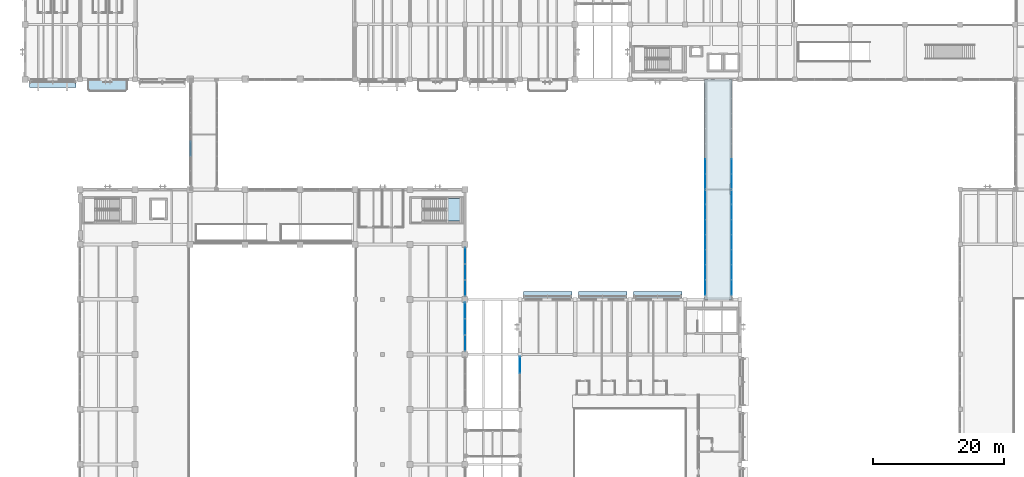
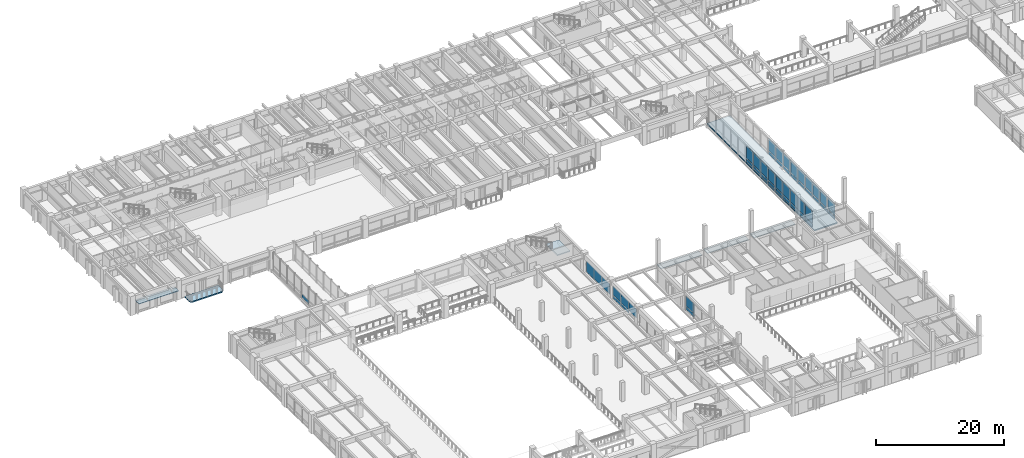
# One storey, part 53 of 118: 51 plates, 3 slabs, 11 elements without a shape of their own.
"""IFC4 building model written with IfcOpenShell, lengths in metres."""

from ifc_helpers import new_model, si_unit, direction, frame, origin, origin_2d, place, context, subcontext, project, spatial, polyline, rectangle, outline, extrude, material, layer, layer_set, type_object, element, aggregate, save


model = new_model("IFC4")

# Units and contexts
model_context = context("Model", 3, precision=1e-05, world=origin(), true_north=direction((0.0, 1.0)))
body_context = subcontext(model_context, "Body", "Model", "MODEL_VIEW")
ifc_project = project(units=[si_unit("LENGTHUNIT", "METRE"), si_unit("AREAUNIT", "SQUARE_METRE"), si_unit("VOLUMEUNIT", "CUBIC_METRE"), si_unit("PLANEANGLEUNIT", "RADIAN"), si_unit("MASSUNIT", "GRAM", prefix="KILO")], contexts=[model_context])

# Site, building, storey
site_placement = place(None, origin())
site = spatial("IfcSite", under=ifc_project, at=site_placement, CompositionType="ELEMENT")
building_placement = place(site_placement, origin())
building = spatial("IfcBuilding", under=site, at=building_placement, Name="Cumbredor Promenade Congress Hotel", CompositionType="ELEMENT")
storey_placement = place(building_placement, frame((0.0, 0.0, 3.919921875)))
storey = spatial("IfcBuildingStorey", under=building, at=storey_placement, Name="L01", CompositionType="ELEMENT", Elevation=3.919921875)

# Slab
ifc_material_1 = material(Name="Concrete C40/50", Category="concrete")
ifc_layer_1 = layer(ifc_material_1, 0.215087890625, Name="Concrete C40/50", Category="concrete")
ifc_layer_set_1 = layer_set([ifc_layer_1], Name="Concrete C40/50")
slab_type_1 = type_object("IfcSlabType", Name="Cantilevered Guestroom Balcony Slab 215mm", PredefinedType="FLOOR", material=ifc_layer_set_1)
slab_1_placement = place(storey_placement, frame((0.0, 0.0, -0.21484375)))
element("IfcSlab", 1, at=slab_1_placement, inside=storey, type_object=slab_type_1, Name="L01 Cantilevered Guestroom Veranda Balcony 001", PredefinedType="FLOOR", context=body_context, shape_type="SweptSolid", body=[
    extrude(outline(polyline([(9.89990234375, 82.14990234375), (15.300048828125, 82.14990234375), (15.64990234375, 82.5), (15.64990234375, 84.0), (9.550048828125, 84.0), (9.550048828125, 82.5), (9.89990234375, 82.14990234375)])), origin(), (0.0, 0.0, 1.0), 0.21484375),
])

# Stair, slab
stair_type = type_object("IfcStairType", Name="Protected Dog-Leg Exit Stair ST-T3 1650mm", PredefinedType="HALF_TURN_STAIR", material=ifc_material_1)
stair_placement = place(storey_placement, origin())
stair = element("IfcStair", 2, at=stair_placement, inside=storey, type_object=stair_type, Name="L01 Protected Exit Stair ST-07", PredefinedType="HALF_TURN_STAIR")
ifc_layer_2 = layer(ifc_material_1, 0.199951171875, Name="Concrete C40/50", Category="concrete")
ifc_layer_set_2 = layer_set([ifc_layer_2], Name="Concrete C40/50")
slab_type_2 = type_object("IfcSlabType", Name="Concrete Stair Landing Slab 200mm", PredefinedType="LANDING", material=ifc_layer_set_2)
slab_2_placement = place(storey_placement, frame((0.0, 0.0, 1.6201171875)))
slab_2 = element("IfcSlab", 3, at=slab_2_placement, type_object=slab_type_2, Name="ST-07 landing 1", PredefinedType="LANDING", context=body_context, shape_type="SweptSolid", body=[
    extrude(outline(polyline([(64.35009765625, 62.35009765625), (66.64990234375, 62.35009765625), (66.64990234375, 65.800048828125), (64.35009765625, 65.800048828125), (64.35009765625, 62.35009765625)])), origin(), (0.0, 0.0, 1.0), 0.199951171875),
])
aggregate(stair, [slab_2])

# Curtain wall, plates
ifc_material_2 = material(Name="Thermally broken anodized aluminium and low-E glass", Category="aluminium")
curtain_wall_type_1 = type_object("IfcCurtainWallType", Name="Unitised Bridge Glazing Screen CW-05", PredefinedType="NOTDEFINED", material=ifc_material_2)
curtain_wall_1_placement = place(storey_placement, origin())
curtain_wall_1 = element("IfcCurtainWall", 4, at=curtain_wall_1_placement, inside=storey, type_object=curtain_wall_type_1, Name="L01 Central Reflecting-Pool Promenade Bridge West Glazing Screen", PredefinedType="NOTDEFINED")
ifc_material_3 = material(Name="Laminated low-E solar-control glass", Category="glass")
ifc_layer_3 = layer(ifc_material_3, 0.030029296875, Name="Laminated low-E solar-control glass", Category="glass")
ifc_layer_set_3 = layer_set([ifc_layer_3], Name="Laminated low-E solar-control glass")
plate_type_1 = type_object("IfcPlateType", Name="Glazed Bridge Panel PNL-04", PredefinedType="CURTAIN_PANEL", material=ifc_layer_set_3)
plate_1_placement = place(storey_placement, frame((103.8798828125, 52.212890625, 0.78515625), z_axis=(0.0, 0.0, 1.0), x_axis=(0.0, 1.0, 0.0)))
plate_1 = element("IfcPlate", 5, at=plate_1_placement, type_object=plate_type_1, Name="L01 Central Reflecting-Pool Promenade Bridge West Glazing Screen Glazing Panel 1.2", PredefinedType="CURTAIN_PANEL", context=body_context, shape_type="SweptSolid", body=[
    extrude(rectangle(XDim=2.24072265625, YDim=0.030029296875, at=origin_2d()), origin(), (0.0, 0.0, 1.0), 2.340087890625),
])
plate_2_placement = place(storey_placement, frame((103.8798828125, 54.5185546875, 0.78515625), z_axis=(0.0, 0.0, 1.0), x_axis=(0.0, 1.0, 0.0)))
plate_2 = element("IfcPlate", 6, at=plate_2_placement, type_object=plate_type_1, Name="L01 Central Reflecting-Pool Promenade Bridge West Glazing Screen Glazing Panel 2.2", PredefinedType="CURTAIN_PANEL", context=body_context, shape_type="SweptSolid", body=[
    extrude(rectangle(XDim=2.24072265625, YDim=0.030029296875, at=origin_2d()), origin(), (0.0, 0.0, 1.0), 2.340087890625),
])
plate_3_placement = place(storey_placement, frame((103.8798828125, 56.82421875, 0.78515625), z_axis=(0.0, 0.0, 1.0), x_axis=(0.0, 1.0, 0.0)))
plate_3 = element("IfcPlate", 7, at=plate_3_placement, type_object=plate_type_1, Name="L01 Central Reflecting-Pool Promenade Bridge West Glazing Screen Glazing Panel 3.2", PredefinedType="CURTAIN_PANEL", context=body_context, shape_type="SweptSolid", body=[
    extrude(rectangle(XDim=2.24072265625, YDim=0.030029296875, at=origin_2d()), origin(), (0.0, 0.0, 1.0), 2.340087890625),
])
plate_4_placement = place(storey_placement, frame((103.8798828125, 59.1298828125, 0.78515625), z_axis=(0.0, 0.0, 1.0), x_axis=(0.0, 1.0, 0.0)))
plate_4 = element("IfcPlate", 8, at=plate_4_placement, type_object=plate_type_1, Name="L01 Central Reflecting-Pool Promenade Bridge West Glazing Screen Glazing Panel 4.2", PredefinedType="CURTAIN_PANEL", context=body_context, shape_type="SweptSolid", body=[
    extrude(rectangle(XDim=2.24072265625, YDim=0.030029296875, at=origin_2d()), origin(), (0.0, 0.0, 1.0), 2.340087890625),
])
plate_5_placement = place(storey_placement, frame((103.8798828125, 61.435791015625, 0.78515625), z_axis=(0.0, 0.0, 1.0), x_axis=(0.0, 1.0, 0.0)))
plate_5 = element("IfcPlate", 9, at=plate_5_placement, type_object=plate_type_1, Name="L01 Central Reflecting-Pool Promenade Bridge West Glazing Screen Glazing Panel 5.2", PredefinedType="CURTAIN_PANEL", context=body_context, shape_type="SweptSolid", body=[
    extrude(rectangle(XDim=2.24072265625, YDim=0.030029296875, at=origin_2d()), origin(), (0.0, 0.0, 1.0), 2.340087890625),
])
plate_6_placement = place(storey_placement, frame((103.8798828125, 63.741455078125, 0.78515625), z_axis=(0.0, 0.0, 1.0), x_axis=(0.0, 1.0, 0.0)))
plate_6 = element("IfcPlate", 10, at=plate_6_placement, type_object=plate_type_1, Name="L01 Central Reflecting-Pool Promenade Bridge West Glazing Screen Glazing Panel 6.2", PredefinedType="CURTAIN_PANEL", context=body_context, shape_type="SweptSolid", body=[
    extrude(rectangle(XDim=2.24072265625, YDim=0.030029296875, at=origin_2d()), origin(), (0.0, 0.0, 1.0), 2.340087890625),
])
plate_7_placement = place(storey_placement, frame((103.8798828125, 66.047119140625, 0.78515625), z_axis=(0.0, 0.0, 1.0), x_axis=(0.0, 1.0, 0.0)))
plate_7 = element("IfcPlate", 11, at=plate_7_placement, type_object=plate_type_1, Name="L01 Central Reflecting-Pool Promenade Bridge West Glazing Screen Glazing Panel 7.2", PredefinedType="CURTAIN_PANEL", context=body_context, shape_type="SweptSolid", body=[
    extrude(rectangle(XDim=2.24072265625, YDim=0.030029296875, at=origin_2d()), origin(), (0.0, 0.0, 1.0), 2.340087890625),
])
plate_8_placement = place(storey_placement, frame((103.8798828125, 68.352783203125, 0.78515625), z_axis=(0.0, 0.0, 1.0), x_axis=(0.0, 1.0, 0.0)))
plate_8 = element("IfcPlate", 12, at=plate_8_placement, type_object=plate_type_1, Name="L01 Central Reflecting-Pool Promenade Bridge West Glazing Screen Glazing Panel 8.2", PredefinedType="CURTAIN_PANEL", context=body_context, shape_type="SweptSolid", body=[
    extrude(rectangle(XDim=2.24072265625, YDim=0.030029296875, at=origin_2d()), origin(), (0.0, 0.0, 1.0), 2.340087890625),
])
plate_9_placement = place(storey_placement, frame((103.8798828125, 70.658447265625, 0.78515625), z_axis=(0.0, 0.0, 1.0), x_axis=(0.0, 1.0, 0.0)))
plate_9 = element("IfcPlate", 13, at=plate_9_placement, type_object=plate_type_1, Name="L01 Central Reflecting-Pool Promenade Bridge West Glazing Screen Glazing Panel 9.2", PredefinedType="CURTAIN_PANEL", context=body_context, shape_type="SweptSolid", body=[
    extrude(rectangle(XDim=2.24072265625, YDim=0.030029296875, at=origin_2d()), origin(), (0.0, 0.0, 1.0), 2.340087890625),
])

curtain_wall_2_placement = place(storey_placement, origin())
curtain_wall_2 = element("IfcCurtainWall", 14, at=curtain_wall_2_placement, inside=storey, type_object=curtain_wall_type_1, Name="L01 Central Reflecting-Pool Promenade Bridge East Glazing Screen", PredefinedType="NOTDEFINED")
plate_10_placement = place(storey_placement, frame((107.919921875, 52.212890625, 0.78515625), z_axis=(0.0, 0.0, 1.0), x_axis=(0.0, 1.0, 0.0)))
plate_10 = element("IfcPlate", 15, at=plate_10_placement, type_object=plate_type_1, Name="L01 Central Reflecting-Pool Promenade Bridge East Glazing Screen Glazing Panel 1.2", PredefinedType="CURTAIN_PANEL", context=body_context, shape_type="SweptSolid", body=[
    extrude(rectangle(XDim=2.24072265625, YDim=0.030029296875, at=origin_2d()), origin(), (0.0, 0.0, 1.0), 2.340087890625),
])
plate_11_placement = place(storey_placement, frame((107.919921875, 54.5185546875, 0.78515625), z_axis=(0.0, 0.0, 1.0), x_axis=(0.0, 1.0, 0.0)))
plate_11 = element("IfcPlate", 16, at=plate_11_placement, type_object=plate_type_1, Name="L01 Central Reflecting-Pool Promenade Bridge East Glazing Screen Glazing Panel 2.2", PredefinedType="CURTAIN_PANEL", context=body_context, shape_type="SweptSolid", body=[
    extrude(rectangle(XDim=2.24072265625, YDim=0.030029296875, at=origin_2d()), origin(), (0.0, 0.0, 1.0), 2.340087890625),
])
plate_12_placement = place(storey_placement, frame((107.919921875, 56.82421875, 0.78515625), z_axis=(0.0, 0.0, 1.0), x_axis=(0.0, 1.0, 0.0)))
plate_12 = element("IfcPlate", 17, at=plate_12_placement, type_object=plate_type_1, Name="L01 Central Reflecting-Pool Promenade Bridge East Glazing Screen Glazing Panel 3.2", PredefinedType="CURTAIN_PANEL", context=body_context, shape_type="SweptSolid", body=[
    extrude(rectangle(XDim=2.24072265625, YDim=0.030029296875, at=origin_2d()), origin(), (0.0, 0.0, 1.0), 2.340087890625),
])
plate_13_placement = place(storey_placement, frame((107.919921875, 59.1298828125, 0.78515625), z_axis=(0.0, 0.0, 1.0), x_axis=(0.0, 1.0, 0.0)))
plate_13 = element("IfcPlate", 18, at=plate_13_placement, type_object=plate_type_1, Name="L01 Central Reflecting-Pool Promenade Bridge East Glazing Screen Glazing Panel 4.2", PredefinedType="CURTAIN_PANEL", context=body_context, shape_type="SweptSolid", body=[
    extrude(rectangle(XDim=2.24072265625, YDim=0.030029296875, at=origin_2d()), origin(), (0.0, 0.0, 1.0), 2.340087890625),
])
plate_14_placement = place(storey_placement, frame((107.919921875, 61.435791015625, 0.78515625), z_axis=(0.0, 0.0, 1.0), x_axis=(0.0, 1.0, 0.0)))
plate_14 = element("IfcPlate", 19, at=plate_14_placement, type_object=plate_type_1, Name="L01 Central Reflecting-Pool Promenade Bridge East Glazing Screen Glazing Panel 5.2", PredefinedType="CURTAIN_PANEL", context=body_context, shape_type="SweptSolid", body=[
    extrude(rectangle(XDim=2.24072265625, YDim=0.030029296875, at=origin_2d()), origin(), (0.0, 0.0, 1.0), 2.340087890625),
])
plate_15_placement = place(storey_placement, frame((107.919921875, 63.741455078125, 0.78515625), z_axis=(0.0, 0.0, 1.0), x_axis=(0.0, 1.0, 0.0)))
plate_15 = element("IfcPlate", 20, at=plate_15_placement, type_object=plate_type_1, Name="L01 Central Reflecting-Pool Promenade Bridge East Glazing Screen Glazing Panel 6.2", PredefinedType="CURTAIN_PANEL", context=body_context, shape_type="SweptSolid", body=[
    extrude(rectangle(XDim=2.24072265625, YDim=0.030029296875, at=origin_2d()), origin(), (0.0, 0.0, 1.0), 2.340087890625),
])
plate_16_placement = place(storey_placement, frame((107.919921875, 66.047119140625, 0.78515625), z_axis=(0.0, 0.0, 1.0), x_axis=(0.0, 1.0, 0.0)))
plate_16 = element("IfcPlate", 21, at=plate_16_placement, type_object=plate_type_1, Name="L01 Central Reflecting-Pool Promenade Bridge East Glazing Screen Glazing Panel 7.2", PredefinedType="CURTAIN_PANEL", context=body_context, shape_type="SweptSolid", body=[
    extrude(rectangle(XDim=2.24072265625, YDim=0.030029296875, at=origin_2d()), origin(), (0.0, 0.0, 1.0), 2.340087890625),
])
plate_17_placement = place(storey_placement, frame((107.919921875, 68.352783203125, 0.78515625), z_axis=(0.0, 0.0, 1.0), x_axis=(0.0, 1.0, 0.0)))
plate_17 = element("IfcPlate", 22, at=plate_17_placement, type_object=plate_type_1, Name="L01 Central Reflecting-Pool Promenade Bridge East Glazing Screen Glazing Panel 8.2", PredefinedType="CURTAIN_PANEL", context=body_context, shape_type="SweptSolid", body=[
    extrude(rectangle(XDim=2.24072265625, YDim=0.030029296875, at=origin_2d()), origin(), (0.0, 0.0, 1.0), 2.340087890625),
])
plate_18_placement = place(storey_placement, frame((107.919921875, 70.658447265625, 0.78515625), z_axis=(0.0, 0.0, 1.0), x_axis=(0.0, 1.0, 0.0)))
plate_18 = element("IfcPlate", 23, at=plate_18_placement, type_object=plate_type_1, Name="L01 Central Reflecting-Pool Promenade Bridge East Glazing Screen Glazing Panel 9.2", PredefinedType="CURTAIN_PANEL", context=body_context, shape_type="SweptSolid", body=[
    extrude(rectangle(XDim=2.24072265625, YDim=0.030029296875, at=origin_2d()), origin(), (0.0, 0.0, 1.0), 2.340087890625),
])

# Curtain wall, plate
curtain_wall_type_2 = type_object("IfcCurtainWallType", Name="Unitised Bronze Curtain Wall CW-01", PredefinedType="NOTDEFINED", material=ifc_material_2)
curtain_wall_3_placement = place(storey_placement, origin())
curtain_wall_3 = element("IfcCurtainWall", 24, at=curtain_wall_3_placement, inside=storey, type_object=curtain_wall_type_2, Name="L01 Thermal Spa and Hydrotherapy Pavilion West Curtain Wall 4", PredefinedType="NOTDEFINED")
ifc_layer_4 = layer(ifc_material_3, 0.028076171875, Name="Laminated low-E solar-control glass", Category="glass")
ifc_layer_set_4 = layer_set([ifc_layer_4], Name="Laminated low-E solar-control glass")
plate_type_2 = type_object("IfcPlateType", Name="Glazed Vision Panel PNL-01", PredefinedType="CURTAIN_PANEL", material=ifc_layer_set_4)
plate_19_placement = place(storey_placement, frame((75.60009765625, 40.36328125, 0.78515625), z_axis=(0.0, 0.0, 1.0), x_axis=(0.0, 1.0, 0.0)))
plate_19 = element("IfcPlate", 25, at=plate_19_placement, type_object=plate_type_2, Name="L01 Thermal Spa and Hydrotherapy Pavilion West Curtain Wall 4 Glazing Panel 3.2", PredefinedType="CURTAIN_PANEL", context=body_context, shape_type="SweptSolid", body=[
    extrude(rectangle(XDim=2.498291015625, YDim=0.028076171875, at=origin_2d()), origin(), (0.0, 0.0, 1.0), 1.820068359375),
])

# Curtain wall, plates
curtain_wall_4_placement = place(storey_placement, origin())
curtain_wall_4 = element("IfcCurtainWall", 26, at=curtain_wall_4_placement, inside=storey, type_object=curtain_wall_type_2, Name="L01 Plenary Congress Hall East Curtain Wall 5", PredefinedType="NOTDEFINED")
ifc_layer_5 = layer(ifc_material_3, 0.031982421875, Name="Laminated low-E solar-control glass", Category="glass")
ifc_layer_set_5 = layer_set([ifc_layer_5], Name="Laminated low-E solar-control glass")
plate_type_3 = type_object("IfcPlateType", Name="Glazed Vision Panel PNL-02", PredefinedType="CURTAIN_PANEL", material=ifc_layer_set_5)
plate_20_placement = place(storey_placement, frame((67.199951171875, 43.736572265625, 0.795166015625), z_axis=(0.0, 0.0, 1.0), x_axis=(0.0, 1.0, 0.0)))
plate_20 = element("IfcPlate", 27, at=plate_20_placement, type_object=plate_type_3, Name="L01 Plenary Congress Hall East Curtain Wall 5 Glazing Panel 1.2", PredefinedType="CURTAIN_PANEL", context=body_context, shape_type="SweptSolid", body=[
    extrude(rectangle(XDim=2.38818359375, YDim=0.031982421875, at=origin_2d()), origin(), (0.0, 0.0, 1.0), 1.64990234375),
])
plate_21_placement = place(storey_placement, frame((67.199951171875, 46.199951171875, 0.795166015625), z_axis=(0.0, 0.0, 1.0), x_axis=(0.0, 1.0, 0.0)))
plate_21 = element("IfcPlate", 28, at=plate_21_placement, type_object=plate_type_3, Name="L01 Plenary Congress Hall East Curtain Wall 5 Glazing Panel 2.2", PredefinedType="CURTAIN_PANEL", context=body_context, shape_type="SweptSolid", body=[
    extrude(rectangle(XDim=2.388427734375, YDim=0.031982421875, at=origin_2d()), origin(), (0.0, 0.0, 1.0), 1.64990234375),
])
plate_22_placement = place(storey_placement, frame((67.199951171875, 48.663330078125, 0.795166015625), z_axis=(0.0, 0.0, 1.0), x_axis=(0.0, 1.0, 0.0)))
plate_22 = element("IfcPlate", 29, at=plate_22_placement, type_object=plate_type_3, Name="L01 Plenary Congress Hall East Curtain Wall 5 Glazing Panel 3.2", PredefinedType="CURTAIN_PANEL", context=body_context, shape_type="SweptSolid", body=[
    extrude(rectangle(XDim=2.38818359375, YDim=0.031982421875, at=origin_2d()), origin(), (0.0, 0.0, 1.0), 1.64990234375),
])

curtain_wall_5_placement = place(storey_placement, origin())
curtain_wall_5 = element("IfcCurtainWall", 30, at=curtain_wall_5_placement, inside=storey, type_object=curtain_wall_type_2, Name="L01 Plenary Congress Hall East Curtain Wall 6", PredefinedType="NOTDEFINED")
ifc_layer_6 = layer(ifc_material_3, 0.028076171875, Name="Laminated low-E solar-control glass", Category="glass")
ifc_layer_set_6 = layer_set([ifc_layer_6], Name="Laminated low-E solar-control glass")
plate_type_4 = type_object("IfcPlateType", Name="Glazed Vision Panel PNL-03", PredefinedType="CURTAIN_PANEL", material=ifc_layer_set_6)
plate_23_placement = place(storey_placement, frame((67.199951171875, 52.13671875, 0.18017578125), z_axis=(0.0, 0.0, 1.0), x_axis=(0.0, 1.0, 0.0)))
plate_23 = element("IfcPlate", 31, at=plate_23_placement, type_object=plate_type_4, Name="L01 Plenary Congress Hall East Curtain Wall 6 Glazing Panel 1.1", PredefinedType="CURTAIN_PANEL", context=body_context, shape_type="SweptSolid", body=[
    extrude(rectangle(XDim=2.38330078125, YDim=0.028076171875, at=origin_2d()), origin(), (0.0, 0.0, 1.0), 2.0400390625),
])
plate_24_placement = place(storey_placement, frame((67.199951171875, 54.60009765625, 0.18017578125), z_axis=(0.0, 0.0, 1.0), x_axis=(0.0, 1.0, 0.0)))
plate_24 = element("IfcPlate", 32, at=plate_24_placement, type_object=plate_type_4, Name="L01 Plenary Congress Hall East Curtain Wall 6 Glazing Panel 2.1", PredefinedType="CURTAIN_PANEL", context=body_context, shape_type="SweptSolid", body=[
    extrude(rectangle(XDim=2.38330078125, YDim=0.028076171875, at=origin_2d()), origin(), (0.0, 0.0, 1.0), 2.0400390625),
])
plate_25_placement = place(storey_placement, frame((67.199951171875, 57.063232421875, 0.18017578125), z_axis=(0.0, 0.0, 1.0), x_axis=(0.0, 1.0, 0.0)))
plate_25 = element("IfcPlate", 33, at=plate_25_placement, type_object=plate_type_4, Name="L01 Plenary Congress Hall East Curtain Wall 6 Glazing Panel 3.1", PredefinedType="CURTAIN_PANEL", context=body_context, shape_type="SweptSolid", body=[
    extrude(rectangle(XDim=2.38330078125, YDim=0.028076171875, at=origin_2d()), origin(), (0.0, 0.0, 1.0), 2.0400390625),
])
aggregate(curtain_wall_5, [plate_23, plate_24, plate_25])

# Curtain wall, plate
curtain_wall_type_3 = type_object("IfcCurtainWallType", Name="Solar Brise-Soleil Screen Assembly CW-07", PredefinedType="NOTDEFINED", material=ifc_material_2)
curtain_wall_6_placement = place(storey_placement, origin())
curtain_wall_6 = element("IfcCurtainWall", 34, at=curtain_wall_6_placement, inside=storey, type_object=curtain_wall_type_3, Name="L01 Hospitality Brise-Soleil Screen 001", PredefinedType="NOTDEFINED")
ifc_material_4 = material(Name="Precast concrete C40/50", Category="concrete")
ifc_layer_7 = layer(ifc_material_4, 0.14501953125, Name="Precast concrete C40/50", Category="concrete")
ifc_layer_set_7 = layer_set([ifc_layer_7], Name="Precast concrete C40/50")
plate_type_5 = type_object("IfcPlateType", Name="Horizontal Precast Sun-Hood Eyebrow Plate 145mm", PredefinedType="USERDEFINED", material=ifc_layer_set_7)
plate_26_placement = place(storey_placement, frame((79.800048828125, 50.96630859375, 2.28515625), z_axis=(0.0, 0.0, 1.0), x_axis=(1.0, 0.0, 0.0)))
plate_26 = element("IfcPlate", 35, at=plate_26_placement, type_object=plate_type_5, Name="L01 Horizontal Sun-Hood Eyebrow 001", ObjectType="SUN HOOD", PredefinedType="USERDEFINED", context=body_context, shape_type="SweptSolid", body=[
    extrude(rectangle(XDim=7.39794921875, YDim=1.29248046875, at=origin_2d()), origin(), (0.0, 0.0, 1.0), 0.14501953125),
])
aggregate(curtain_wall_6, [plate_26])

curtain_wall_7_placement = place(storey_placement, origin())
curtain_wall_7 = element("IfcCurtainWall", 36, at=curtain_wall_7_placement, inside=storey, type_object=curtain_wall_type_3, Name="L01 Hospitality Brise-Soleil Screen 002", PredefinedType="NOTDEFINED")
plate_27_placement = place(storey_placement, frame((88.199951171875, 50.972412109375, 2.28515625), z_axis=(0.0, 0.0, 1.0), x_axis=(1.0, 0.0, 0.0)))
plate_27 = element("IfcPlate", 37, at=plate_27_placement, type_object=plate_type_5, Name="L01 Horizontal Sun-Hood Eyebrow 002", ObjectType="SUN HOOD", PredefinedType="USERDEFINED", context=body_context, shape_type="SweptSolid", body=[
    extrude(rectangle(XDim=7.39794921875, YDim=1.304931640625, at=origin_2d()), origin(), (0.0, 0.0, 1.0), 0.14501953125),
])
aggregate(curtain_wall_7, [plate_27])

curtain_wall_8_placement = place(storey_placement, origin())
curtain_wall_8 = element("IfcCurtainWall", 38, at=curtain_wall_8_placement, inside=storey, type_object=curtain_wall_type_3, Name="L01 Hospitality Brise-Soleil Screen 003", PredefinedType="NOTDEFINED")
plate_28_placement = place(storey_placement, frame((96.60009765625, 50.97998046875, 2.28515625), z_axis=(0.0, 0.0, 1.0), x_axis=(1.0, 0.0, 0.0)))
plate_28 = element("IfcPlate", 39, at=plate_28_placement, type_object=plate_type_5, Name="L01 Horizontal Sun-Hood Eyebrow 003", ObjectType="SUN HOOD", PredefinedType="USERDEFINED", context=body_context, shape_type="SweptSolid", body=[
    extrude(rectangle(XDim=7.39794921875, YDim=1.320068359375, at=origin_2d()), origin(), (0.0, 0.0, 1.0), 0.14501953125),
])
aggregate(curtain_wall_8, [plate_28])

curtain_wall_9_placement = place(storey_placement, origin())
curtain_wall_9 = element("IfcCurtainWall", 40, at=curtain_wall_9_placement, inside=storey, type_object=curtain_wall_type_3, Name="L01 Hospitality Brise-Soleil Screen 017", PredefinedType="NOTDEFINED")
plate_29_placement = place(storey_placement, frame((4.22509765625, 83.433837890625, 2.28515625), z_axis=(0.0, 0.0, 1.0), x_axis=(1.0, 0.0, 0.0)))
plate_29 = element("IfcPlate", 41, at=plate_29_placement, type_object=plate_type_5, Name="L01 Horizontal Sun-Hood Eyebrow 017", ObjectType="SUN HOOD", PredefinedType="USERDEFINED", context=body_context, shape_type="SweptSolid", body=[
    extrude(rectangle(XDim=7.14794921875, YDim=1.29248046875, at=origin_2d()), origin(), (0.0, 0.0, 1.0), 0.14501953125),
])
aggregate(curtain_wall_9, [plate_29])

# Plate
ifc_material_5 = material(Name="Thermally broken anodized aluminium", Category="aluminium")
ifc_layer_8 = layer(ifc_material_5, 0.0400390625, Name="Thermally broken anodized aluminium", Category="aluminium")
ifc_layer_set_8 = layer_set([ifc_layer_8], Name="Thermally broken anodized aluminium")
plate_type_6 = type_object("IfcPlateType", Name="Insulated Spandrel Panel PNL-05", PredefinedType="CURTAIN_PANEL", material=ifc_layer_set_8)
plate_30_placement = place(storey_placement, frame((67.199951171875, 46.199951171875, 0.1552734375), z_axis=(0.0, 0.0, 1.0), x_axis=(0.0, 1.0, 0.0)))
plate_30 = element("IfcPlate", 42, at=plate_30_placement, type_object=plate_type_6, Name="L01 Plenary Congress Hall East Curtain Wall 5 Spandrel Panel 2.1", PredefinedType="CURTAIN_PANEL", context=body_context, shape_type="SweptSolid", body=[
    extrude(rectangle(XDim=2.388427734375, YDim=0.0400390625, at=origin_2d()), origin(), (0.0, 0.0, 1.0), 0.489990234375),
])

plate_31_placement = place(storey_placement, frame((67.199951171875, 48.663330078125, 0.1552734375), z_axis=(0.0, 0.0, 1.0), x_axis=(0.0, 1.0, 0.0)))
plate_31 = element("IfcPlate", 43, at=plate_31_placement, type_object=plate_type_6, Name="L01 Plenary Congress Hall East Curtain Wall 5 Spandrel Panel 3.1", PredefinedType="CURTAIN_PANEL", context=body_context, shape_type="SweptSolid", body=[
    extrude(rectangle(XDim=2.38818359375, YDim=0.0400390625, at=origin_2d()), origin(), (0.0, 0.0, 1.0), 0.489990234375),
])

aggregate(curtain_wall_4, [plate_20, plate_30, plate_21, plate_31, plate_22])

plate_32_placement = place(storey_placement, frame((75.60009765625, 40.36328125, 0.125), z_axis=(0.0, 0.0, 1.0), x_axis=(0.0, 1.0, 0.0)))
plate_32 = element("IfcPlate", 44, at=plate_32_placement, type_object=plate_type_6, Name="L01 Thermal Spa and Hydrotherapy Pavilion West Curtain Wall 4 Spandrel Panel 3.1", PredefinedType="CURTAIN_PANEL", context=body_context, shape_type="SweptSolid", body=[
    extrude(rectangle(XDim=2.498291015625, YDim=0.0400390625, at=origin_2d()), origin(), (0.0, 0.0, 1.0), 0.530029296875),
])

aggregate(curtain_wall_3, [plate_32, plate_19])

# Curtain wall, plate
curtain_wall_10_placement = place(storey_placement, origin())
curtain_wall_10 = element("IfcCurtainWall", 45, at=curtain_wall_10_placement, inside=storey, type_object=curtain_wall_type_1, Name="L01 West Congress-to-Hotel Glazed Bridge West Glazing Screen", PredefinedType="NOTDEFINED")
ifc_layer_9 = layer(ifc_material_5, 0.0400390625, Name="Thermally broken anodized aluminium", Category="aluminium")
ifc_layer_set_9 = layer_set([ifc_layer_9], Name="Thermally broken anodized aluminium")
plate_type_7 = type_object("IfcPlateType", Name="Insulated Spandrel Panel PNL-06", PredefinedType="CURTAIN_PANEL", material=ifc_layer_set_9)
plate_33_placement = place(storey_placement, frame((25.280029296875, 73.388671875, 0.125), z_axis=(0.0, 0.0, 1.0), x_axis=(0.0, 1.0, 0.0)))
plate_33 = element("IfcPlate", 46, at=plate_33_placement, type_object=plate_type_7, Name="L01 West Congress-to-Hotel Glazed Bridge West Glazing Screen Spandrel Panel 3.1", PredefinedType="CURTAIN_PANEL", context=body_context, shape_type="SweptSolid", body=[
    extrude(rectangle(XDim=2.146484375, YDim=0.0400390625, at=origin_2d()), origin(), (0.0, 0.0, 1.0), 0.530029296875),
])
aggregate(curtain_wall_10, [plate_33])

# Plate
plate_34_placement = place(storey_placement, frame((103.8798828125, 52.212890625, 0.125), z_axis=(0.0, 0.0, 1.0), x_axis=(0.0, 1.0, 0.0)))
plate_34 = element("IfcPlate", 47, at=plate_34_placement, type_object=plate_type_7, Name="L01 Central Reflecting-Pool Promenade Bridge West Glazing Screen Spandrel Panel 1.1", PredefinedType="CURTAIN_PANEL", context=body_context, shape_type="SweptSolid", body=[
    extrude(rectangle(XDim=2.24072265625, YDim=0.0400390625, at=origin_2d()), origin(), (0.0, 0.0, 1.0), 0.530029296875),
])

plate_35_placement = place(storey_placement, frame((103.8798828125, 54.5185546875, 0.125), z_axis=(0.0, 0.0, 1.0), x_axis=(0.0, 1.0, 0.0)))
plate_35 = element("IfcPlate", 48, at=plate_35_placement, type_object=plate_type_7, Name="L01 Central Reflecting-Pool Promenade Bridge West Glazing Screen Spandrel Panel 2.1", PredefinedType="CURTAIN_PANEL", context=body_context, shape_type="SweptSolid", body=[
    extrude(rectangle(XDim=2.24072265625, YDim=0.0400390625, at=origin_2d()), origin(), (0.0, 0.0, 1.0), 0.530029296875),
])

plate_36_placement = place(storey_placement, frame((103.8798828125, 56.82421875, 0.125), z_axis=(0.0, 0.0, 1.0), x_axis=(0.0, 1.0, 0.0)))
plate_36 = element("IfcPlate", 49, at=plate_36_placement, type_object=plate_type_7, Name="L01 Central Reflecting-Pool Promenade Bridge West Glazing Screen Spandrel Panel 3.1", PredefinedType="CURTAIN_PANEL", context=body_context, shape_type="SweptSolid", body=[
    extrude(rectangle(XDim=2.24072265625, YDim=0.0400390625, at=origin_2d()), origin(), (0.0, 0.0, 1.0), 0.530029296875),
])

plate_37_placement = place(storey_placement, frame((103.8798828125, 59.1298828125, 0.125), z_axis=(0.0, 0.0, 1.0), x_axis=(0.0, 1.0, 0.0)))
plate_37 = element("IfcPlate", 50, at=plate_37_placement, type_object=plate_type_7, Name="L01 Central Reflecting-Pool Promenade Bridge West Glazing Screen Spandrel Panel 4.1", PredefinedType="CURTAIN_PANEL", context=body_context, shape_type="SweptSolid", body=[
    extrude(rectangle(XDim=2.24072265625, YDim=0.0400390625, at=origin_2d()), origin(), (0.0, 0.0, 1.0), 0.530029296875),
])

plate_38_placement = place(storey_placement, frame((103.8798828125, 61.435791015625, 0.125), z_axis=(0.0, 0.0, 1.0), x_axis=(0.0, 1.0, 0.0)))
plate_38 = element("IfcPlate", 51, at=plate_38_placement, type_object=plate_type_7, Name="L01 Central Reflecting-Pool Promenade Bridge West Glazing Screen Spandrel Panel 5.1", PredefinedType="CURTAIN_PANEL", context=body_context, shape_type="SweptSolid", body=[
    extrude(rectangle(XDim=2.24072265625, YDim=0.0400390625, at=origin_2d()), origin(), (0.0, 0.0, 1.0), 0.530029296875),
])

plate_39_placement = place(storey_placement, frame((103.8798828125, 63.741455078125, 0.125), z_axis=(0.0, 0.0, 1.0), x_axis=(0.0, 1.0, 0.0)))
plate_39 = element("IfcPlate", 52, at=plate_39_placement, type_object=plate_type_7, Name="L01 Central Reflecting-Pool Promenade Bridge West Glazing Screen Spandrel Panel 6.1", PredefinedType="CURTAIN_PANEL", context=body_context, shape_type="SweptSolid", body=[
    extrude(rectangle(XDim=2.24072265625, YDim=0.0400390625, at=origin_2d()), origin(), (0.0, 0.0, 1.0), 0.530029296875),
])

plate_40_placement = place(storey_placement, frame((103.8798828125, 66.047119140625, 0.125), z_axis=(0.0, 0.0, 1.0), x_axis=(0.0, 1.0, 0.0)))
plate_40 = element("IfcPlate", 53, at=plate_40_placement, type_object=plate_type_7, Name="L01 Central Reflecting-Pool Promenade Bridge West Glazing Screen Spandrel Panel 7.1", PredefinedType="CURTAIN_PANEL", context=body_context, shape_type="SweptSolid", body=[
    extrude(rectangle(XDim=2.24072265625, YDim=0.0400390625, at=origin_2d()), origin(), (0.0, 0.0, 1.0), 0.530029296875),
])

plate_41_placement = place(storey_placement, frame((103.8798828125, 68.352783203125, 0.125), z_axis=(0.0, 0.0, 1.0), x_axis=(0.0, 1.0, 0.0)))
plate_41 = element("IfcPlate", 54, at=plate_41_placement, type_object=plate_type_7, Name="L01 Central Reflecting-Pool Promenade Bridge West Glazing Screen Spandrel Panel 8.1", PredefinedType="CURTAIN_PANEL", context=body_context, shape_type="SweptSolid", body=[
    extrude(rectangle(XDim=2.24072265625, YDim=0.0400390625, at=origin_2d()), origin(), (0.0, 0.0, 1.0), 0.530029296875),
])

plate_42_placement = place(storey_placement, frame((103.8798828125, 70.658447265625, 0.125), z_axis=(0.0, 0.0, 1.0), x_axis=(0.0, 1.0, 0.0)))
plate_42 = element("IfcPlate", 55, at=plate_42_placement, type_object=plate_type_7, Name="L01 Central Reflecting-Pool Promenade Bridge West Glazing Screen Spandrel Panel 9.1", PredefinedType="CURTAIN_PANEL", context=body_context, shape_type="SweptSolid", body=[
    extrude(rectangle(XDim=2.24072265625, YDim=0.0400390625, at=origin_2d()), origin(), (0.0, 0.0, 1.0), 0.530029296875),
])

aggregate(curtain_wall_1, [plate_34, plate_1, plate_35, plate_2, plate_36, plate_3, plate_37, plate_4, plate_38, plate_5, plate_39, plate_6, plate_40, plate_7, plate_41, plate_8, plate_42, plate_9])

plate_43_placement = place(storey_placement, frame((107.919921875, 52.212890625, 0.125), z_axis=(0.0, 0.0, 1.0), x_axis=(0.0, 1.0, 0.0)))
plate_43 = element("IfcPlate", 56, at=plate_43_placement, type_object=plate_type_7, Name="L01 Central Reflecting-Pool Promenade Bridge East Glazing Screen Spandrel Panel 1.1", PredefinedType="CURTAIN_PANEL", context=body_context, shape_type="SweptSolid", body=[
    extrude(rectangle(XDim=2.24072265625, YDim=0.0400390625, at=origin_2d()), origin(), (0.0, 0.0, 1.0), 0.530029296875),
])

plate_44_placement = place(storey_placement, frame((107.919921875, 54.5185546875, 0.125), z_axis=(0.0, 0.0, 1.0), x_axis=(0.0, 1.0, 0.0)))
plate_44 = element("IfcPlate", 57, at=plate_44_placement, type_object=plate_type_7, Name="L01 Central Reflecting-Pool Promenade Bridge East Glazing Screen Spandrel Panel 2.1", PredefinedType="CURTAIN_PANEL", context=body_context, shape_type="SweptSolid", body=[
    extrude(rectangle(XDim=2.24072265625, YDim=0.0400390625, at=origin_2d()), origin(), (0.0, 0.0, 1.0), 0.530029296875),
])

plate_45_placement = place(storey_placement, frame((107.919921875, 56.82421875, 0.125), z_axis=(0.0, 0.0, 1.0), x_axis=(0.0, 1.0, 0.0)))
plate_45 = element("IfcPlate", 58, at=plate_45_placement, type_object=plate_type_7, Name="L01 Central Reflecting-Pool Promenade Bridge East Glazing Screen Spandrel Panel 3.1", PredefinedType="CURTAIN_PANEL", context=body_context, shape_type="SweptSolid", body=[
    extrude(rectangle(XDim=2.24072265625, YDim=0.0400390625, at=origin_2d()), origin(), (0.0, 0.0, 1.0), 0.530029296875),
])

plate_46_placement = place(storey_placement, frame((107.919921875, 59.1298828125, 0.125), z_axis=(0.0, 0.0, 1.0), x_axis=(0.0, 1.0, 0.0)))
plate_46 = element("IfcPlate", 59, at=plate_46_placement, type_object=plate_type_7, Name="L01 Central Reflecting-Pool Promenade Bridge East Glazing Screen Spandrel Panel 4.1", PredefinedType="CURTAIN_PANEL", context=body_context, shape_type="SweptSolid", body=[
    extrude(rectangle(XDim=2.24072265625, YDim=0.0400390625, at=origin_2d()), origin(), (0.0, 0.0, 1.0), 0.530029296875),
])

plate_47_placement = place(storey_placement, frame((107.919921875, 61.435791015625, 0.125), z_axis=(0.0, 0.0, 1.0), x_axis=(0.0, 1.0, 0.0)))
plate_47 = element("IfcPlate", 60, at=plate_47_placement, type_object=plate_type_7, Name="L01 Central Reflecting-Pool Promenade Bridge East Glazing Screen Spandrel Panel 5.1", PredefinedType="CURTAIN_PANEL", context=body_context, shape_type="SweptSolid", body=[
    extrude(rectangle(XDim=2.24072265625, YDim=0.0400390625, at=origin_2d()), origin(), (0.0, 0.0, 1.0), 0.530029296875),
])

plate_48_placement = place(storey_placement, frame((107.919921875, 63.741455078125, 0.125), z_axis=(0.0, 0.0, 1.0), x_axis=(0.0, 1.0, 0.0)))
plate_48 = element("IfcPlate", 61, at=plate_48_placement, type_object=plate_type_7, Name="L01 Central Reflecting-Pool Promenade Bridge East Glazing Screen Spandrel Panel 6.1", PredefinedType="CURTAIN_PANEL", context=body_context, shape_type="SweptSolid", body=[
    extrude(rectangle(XDim=2.24072265625, YDim=0.0400390625, at=origin_2d()), origin(), (0.0, 0.0, 1.0), 0.530029296875),
])

plate_49_placement = place(storey_placement, frame((107.919921875, 66.047119140625, 0.125), z_axis=(0.0, 0.0, 1.0), x_axis=(0.0, 1.0, 0.0)))
plate_49 = element("IfcPlate", 62, at=plate_49_placement, type_object=plate_type_7, Name="L01 Central Reflecting-Pool Promenade Bridge East Glazing Screen Spandrel Panel 7.1", PredefinedType="CURTAIN_PANEL", context=body_context, shape_type="SweptSolid", body=[
    extrude(rectangle(XDim=2.24072265625, YDim=0.0400390625, at=origin_2d()), origin(), (0.0, 0.0, 1.0), 0.530029296875),
])

plate_50_placement = place(storey_placement, frame((107.919921875, 68.352783203125, 0.125), z_axis=(0.0, 0.0, 1.0), x_axis=(0.0, 1.0, 0.0)))
plate_50 = element("IfcPlate", 63, at=plate_50_placement, type_object=plate_type_7, Name="L01 Central Reflecting-Pool Promenade Bridge East Glazing Screen Spandrel Panel 8.1", PredefinedType="CURTAIN_PANEL", context=body_context, shape_type="SweptSolid", body=[
    extrude(rectangle(XDim=2.24072265625, YDim=0.0400390625, at=origin_2d()), origin(), (0.0, 0.0, 1.0), 0.530029296875),
])

plate_51_placement = place(storey_placement, frame((107.919921875, 70.658447265625, 0.125), z_axis=(0.0, 0.0, 1.0), x_axis=(0.0, 1.0, 0.0)))
plate_51 = element("IfcPlate", 64, at=plate_51_placement, type_object=plate_type_7, Name="L01 Central Reflecting-Pool Promenade Bridge East Glazing Screen Spandrel Panel 9.1", PredefinedType="CURTAIN_PANEL", context=body_context, shape_type="SweptSolid", body=[
    extrude(rectangle(XDim=2.24072265625, YDim=0.0400390625, at=origin_2d()), origin(), (0.0, 0.0, 1.0), 0.530029296875),
])

aggregate(curtain_wall_2, [plate_43, plate_10, plate_44, plate_11, plate_45, plate_12, plate_46, plate_13, plate_47, plate_14, plate_48, plate_15, plate_49, plate_16, plate_50, plate_17, plate_51, plate_18])

# Slab
ifc_layer_10 = layer(ifc_material_1, 0.219970703125, Name="Concrete C40/50", Category="concrete")
ifc_layer_set_10 = layer_set([ifc_layer_10], Name="Concrete C40/50")
slab_type_3 = type_object("IfcSlabType", Name="Link Bridge Deck Slab 220mm", PredefinedType="FLOOR", material=ifc_layer_set_10)
slab_3_placement = place(storey_placement, frame((0.0, 0.0, -0.219970703125)))
element("IfcSlab", 65, at=slab_3_placement, inside=storey, type_object=slab_type_3, Name="L01 Central Reflecting-Pool Promenade Bridge Floor Deck", PredefinedType="FLOOR", context=body_context, shape_type="SweptSolid", body=[
    extrude(outline(polyline([(103.800048828125, 50.39990234375), (108.0, 50.39990234375), (108.0, 66.39990234375), (107.64990234375, 66.39990234375), (107.64990234375, 68.0), (108.0, 68.0), (108.0, 84.0), (103.800048828125, 84.0), (103.800048828125, 50.39990234375)])), origin(), (0.0, 0.0, 1.0), 0.219970703125),
])

save(model, "model.ifc")
